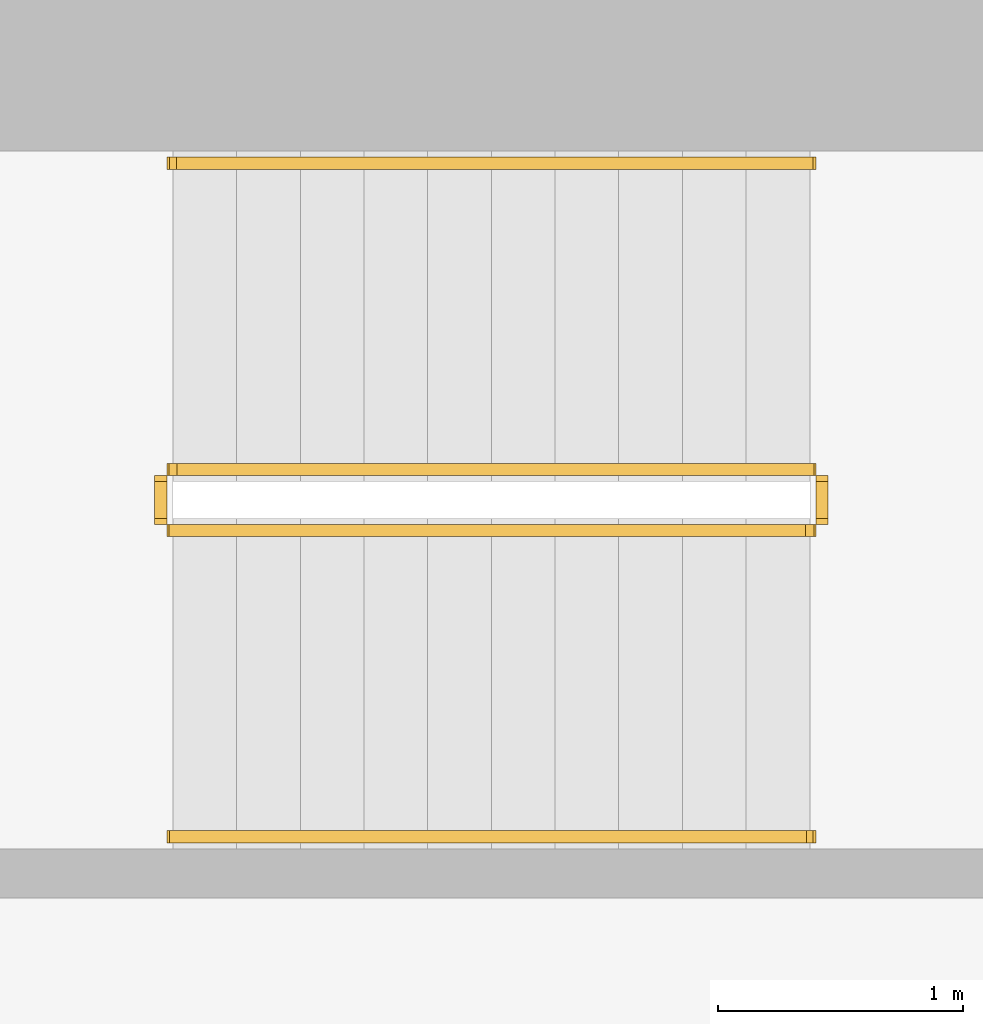
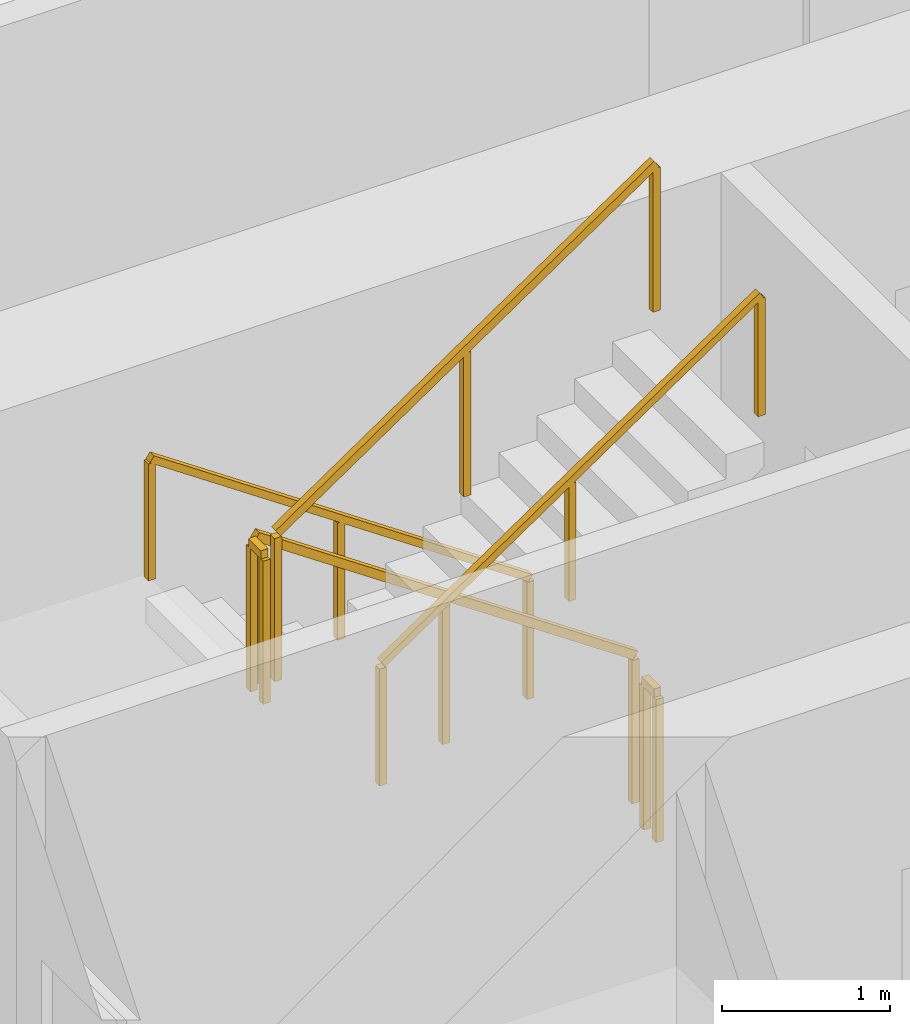
# One storey, part 15 of 16: 6 railings.
"""IFC4 building model written with IfcOpenShell, lengths in metres."""

from ifc_helpers import new_model, si_unit, direction, frame, origin, origin_2d, place, context, subcontext, project, spatial, rectangle, extrude, material, type_object, element, save


model = new_model("IFC4")

# Units and contexts
model_context = context("Model", 3, precision=1e-05, world=origin(), true_north=direction((0.0, 1.0)))
body_context = subcontext(model_context, "Body", "Model", "MODEL_VIEW")
ifc_project = project(units=[si_unit("LENGTHUNIT", "METRE"), si_unit("AREAUNIT", "SQUARE_METRE"), si_unit("VOLUMEUNIT", "CUBIC_METRE"), si_unit("PLANEANGLEUNIT", "RADIAN"), si_unit("MASSUNIT", "GRAM", prefix="KILO")], contexts=[model_context])

# Site, building, storey
site_placement = place(None, origin())
site = spatial("IfcSite", under=ifc_project, at=site_placement, CompositionType="ELEMENT")
building_placement = place(site_placement, origin())
building = spatial("IfcBuilding", under=site, at=building_placement, Name="Khepri Terraces", CompositionType="ELEMENT")
storey_placement = place(building_placement, frame((0.0, 0.0, 204.0)))
storey = spatial("IfcBuildingStorey", under=building, at=storey_placement, Name="L48", CompositionType="ELEMENT", Elevation=204.0)

# Railings
ifc_material = material(Name="Stainless steel 316", Category="steel")
railing_type_1 = type_object("IfcRailingType", Name="RL-CORE-GUARD", PredefinedType="GUARDRAIL", material=ifc_material)
railing_1_placement = place(storey_placement, frame((-0.25, 8.800048828125, 0.17724609375)))
element("IfcRailing", 1, at=railing_1_placement, inside=storey, type_object=railing_type_1, Name="L48 ST-3 stair guard 1", PredefinedType="GUARDRAIL", context=body_context, shape_type="SweptSolid", body=[
    extrude(rectangle(XDim=0.050048828125, YDim=0.06005859375, at=origin_2d()), frame((0.0, 0.0, 1.070068359375), z_axis=(-0.826240473404, 0.0, 0.563317565952), x_axis=(0.0, -1.0, 0.0)), (0.0, 0.0, 1.0), 3.14697265625),
    extrude(rectangle(XDim=0.050048828125, YDim=0.050048828125, at=origin_2d()), origin(), (0.0, 0.0, 1.0), 1.0400390625),
    extrude(rectangle(XDim=0.050048828125, YDim=0.050048828125, at=origin_2d()), frame((-1.300048828125, 0.0, 0.88623046875)), (0.0, 0.0, 1.0), 1.0400390625),
    extrude(rectangle(XDim=0.050048828125, YDim=0.050048828125, at=origin_2d()), frame((-2.60009765625, 0.0, 1.772705078125)), (0.0, 0.0, 1.0), 1.0400390625),
])
railing_2_placement = place(storey_placement, frame((-2.89990234375, 8.75, 1.949951171875)))
element("IfcRailing", 2, at=railing_2_placement, inside=storey, type_object=railing_type_1, Name="L48 ST-3 stair guard 2", PredefinedType="GUARDRAIL", context=body_context, shape_type="SweptSolid", body=[
    extrude(rectangle(XDim=0.050048828125, YDim=0.06005859375, at=origin_2d()), frame((0.0, 0.0, 1.070068359375), z_axis=(0.0, -1.0, 0.0), x_axis=(1.0, 0.0, 0.0)), (0.0, 0.0, 1.0), 0.14990234375),
    extrude(rectangle(XDim=0.050048828125, YDim=0.050048828125, at=origin_2d()), origin(), (0.0, 0.0, 1.0), 1.0400390625),
    extrude(rectangle(XDim=0.050048828125, YDim=0.050048828125, at=origin_2d()), frame((0.0, -0.14990234375, 0.0)), (0.0, 0.0, 1.0), 1.0400390625),
])
railing_3_placement = place(storey_placement, frame((-2.85009765625, 8.550048828125, 2.127197265625)))
element("IfcRailing", 3, at=railing_3_placement, inside=storey, type_object=railing_type_1, Name="L48 ST-3 stair guard 3", PredefinedType="GUARDRAIL", context=body_context, shape_type="SweptSolid", body=[
    extrude(rectangle(XDim=0.050048828125, YDim=0.06005859375, at=origin_2d()), frame((0.0, 0.0, 1.070068359375), z_axis=(0.826240473404, 0.0, 0.563317565952), x_axis=(0.0, 1.0, 0.0)), (0.0, 0.0, 1.0), 3.14697265625),
    extrude(rectangle(XDim=0.050048828125, YDim=0.050048828125, at=origin_2d()), origin(), (0.0, 0.0, 1.0), 1.0400390625),
    extrude(rectangle(XDim=0.050048828125, YDim=0.050048828125, at=origin_2d()), frame((1.300048828125, 0.0, 0.88623046875)), (0.0, 0.0, 1.0), 1.0400390625),
    extrude(rectangle(XDim=0.050048828125, YDim=0.050048828125, at=origin_2d()), frame((2.60009765625, 0.0, 1.772705078125)), (0.0, 0.0, 1.0), 1.0400390625),
])
railing_4_placement = place(storey_placement, frame((-0.199951171875, 8.75, 0.0)))
element("IfcRailing", 4, at=railing_4_placement, inside=storey, type_object=railing_type_1, Name="L48 ST-3 stair guard 4", PredefinedType="GUARDRAIL", context=body_context, shape_type="SweptSolid", body=[
    extrude(rectangle(XDim=0.050048828125, YDim=0.06005859375, at=origin_2d()), frame((0.0, 0.0, 1.070068359375), z_axis=(0.0, -1.0, 0.0), x_axis=(1.0, 0.0, 0.0)), (0.0, 0.0, 1.0), 0.14990234375),
    extrude(rectangle(XDim=0.050048828125, YDim=0.050048828125, at=origin_2d()), origin(), (0.0, 0.0, 1.0), 1.0400390625),
    extrude(rectangle(XDim=0.050048828125, YDim=0.050048828125, at=origin_2d()), frame((0.0, -0.14990234375, 0.0)), (0.0, 0.0, 1.0), 1.0400390625),
])
railing_type_2 = type_object("IfcRailingType", Name="RL-CORE-HANDRAIL", PredefinedType="HANDRAIL", material=ifc_material)
railing_5_placement = place(storey_placement, frame((-0.25, 10.050048828125, 0.17724609375)))
element("IfcRailing", 5, at=railing_5_placement, inside=storey, type_object=railing_type_2, Name="L48 ST-3 stair handrail 1", PredefinedType="HANDRAIL", context=body_context, shape_type="SweptSolid", body=[
    extrude(rectangle(XDim=0.050048828125, YDim=0.050048828125, at=origin_2d()), frame((0.0, 0.0, 0.875), z_axis=(-0.826240473404, 0.0, 0.563317565952), x_axis=(0.0, -1.0, 0.0)), (0.0, 0.0, 1.0), 3.14697265625),
    extrude(rectangle(XDim=0.050048828125, YDim=0.050048828125, at=origin_2d()), origin(), (0.0, 0.0, 1.0), 0.849853515625),
    extrude(rectangle(XDim=0.050048828125, YDim=0.050048828125, at=origin_2d()), frame((-1.300048828125, 0.0, 0.88623046875)), (0.0, 0.0, 1.0), 0.849853515625),
    extrude(rectangle(XDim=0.050048828125, YDim=0.050048828125, at=origin_2d()), frame((-2.60009765625, 0.0, 1.772705078125)), (0.0, 0.0, 1.0), 0.849853515625),
])
railing_6_placement = place(storey_placement, frame((-2.85009765625, 7.300048828125, 2.127197265625)))
element("IfcRailing", 6, at=railing_6_placement, inside=storey, type_object=railing_type_2, Name="L48 ST-3 stair handrail 2", PredefinedType="HANDRAIL", context=body_context, shape_type="SweptSolid", body=[
    extrude(rectangle(XDim=0.050048828125, YDim=0.050048828125, at=origin_2d()), frame((0.0, 0.0, 0.875), z_axis=(0.826240473404, 0.0, 0.563317565952), x_axis=(0.0, 1.0, 0.0)), (0.0, 0.0, 1.0), 3.14697265625),
    extrude(rectangle(XDim=0.050048828125, YDim=0.050048828125, at=origin_2d()), origin(), (0.0, 0.0, 1.0), 0.849853515625),
    extrude(rectangle(XDim=0.050048828125, YDim=0.050048828125, at=origin_2d()), frame((1.300048828125, 0.0, 0.88623046875)), (0.0, 0.0, 1.0), 0.849853515625),
    extrude(rectangle(XDim=0.050048828125, YDim=0.050048828125, at=origin_2d()), frame((2.60009765625, 0.0, 1.772705078125)), (0.0, 0.0, 1.0), 0.849853515625),
])

save(model, "model.ifc")
